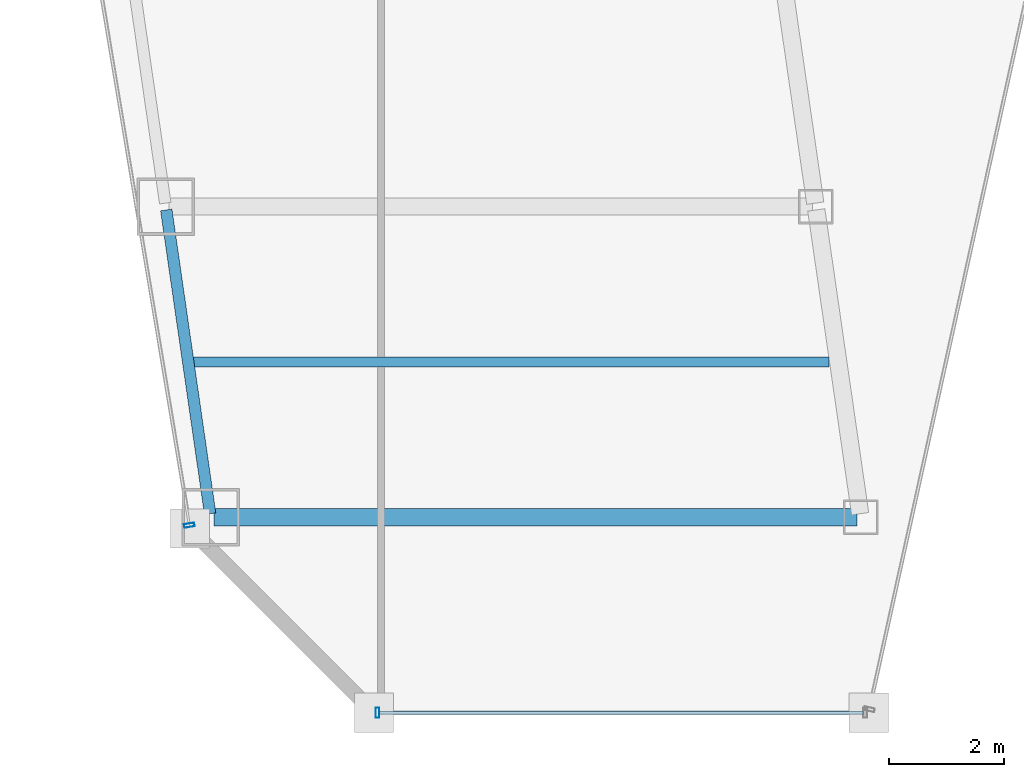
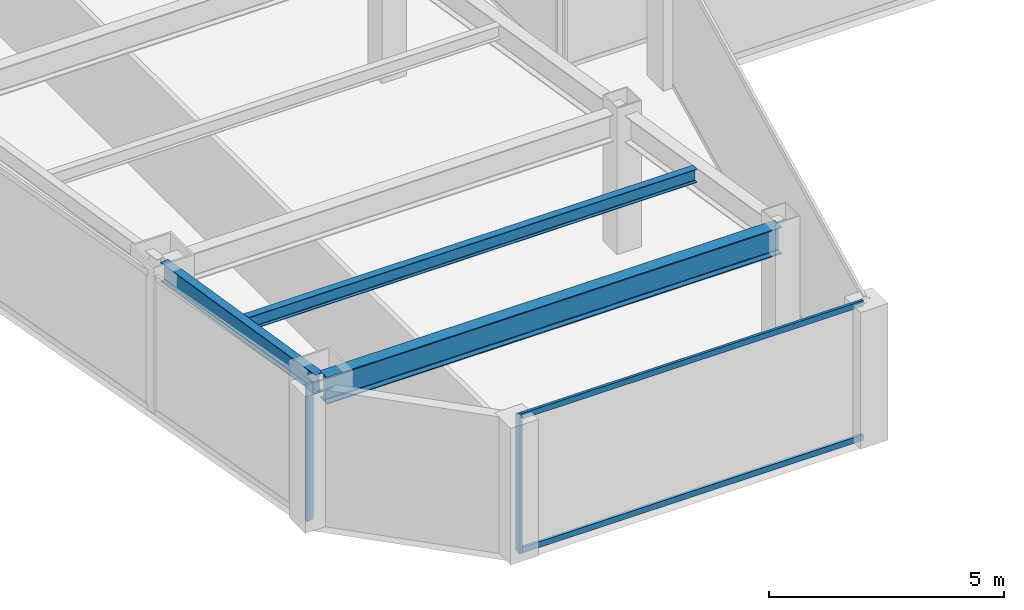
# One storey, part 2 of 36: 4 members, 3 beams, 2 elements without a shape of their own.
"""IFC4 building model written with IfcOpenShell, lengths in metres."""

from ifc_helpers import new_model, si_unit, direction, frame, origin, origin_2d, place, context, subcontext, project, spatial, hollow_rectangle, i_section, extrude, material, material_profile, profile_set, type_object, element, aggregate, save


model = new_model("IFC4")

# Units and contexts
model_context = context("Model", 3, precision=1e-05, world=origin(), true_north=direction((0.0, 1.0)))
body_context = subcontext(model_context, "Body", "Model", "MODEL_VIEW")
ifc_project = project(units=[si_unit("LENGTHUNIT", "METRE"), si_unit("AREAUNIT", "SQUARE_METRE"), si_unit("VOLUMEUNIT", "CUBIC_METRE"), si_unit("PLANEANGLEUNIT", "RADIAN"), si_unit("MASSUNIT", "GRAM", prefix="KILO")], contexts=[model_context])

# Site, building, storey
site_placement = place(None, origin())
site = spatial("IfcSite", under=ifc_project, at=site_placement, CompositionType="ELEMENT")
building_placement = place(site_placement, origin())
building = spatial("IfcBuilding", under=site, at=building_placement, Name="Saevonmaru Cultural Tower", CompositionType="ELEMENT")
storey_placement = place(building_placement, frame((0.0, 0.0, 152.39990234375)))
storey = spatial("IfcBuildingStorey", under=building, at=storey_placement, Name="L33", CompositionType="ELEMENT", Elevation=152.39990234375)

# Beams
ifc_material_1 = material(Name="Steel SM355", Category="steel")
ifc_material_profile_1 = material_profile(ifc_material_1, i_section(OverallWidth=0.300048828125, OverallDepth=0.699951171875, WebThickness=0.012939453125, FlangeThickness=0.02392578125, FilletRadius=0.02587890625, at=origin_2d()), Name="H-700x300x13x24")
ifc_profile_set_1 = profile_set([ifc_material_profile_1], Name="Steel SM355")
beam_type_1 = type_object("IfcBeamType", Name="BM-G-H700", PredefinedType="BEAM", material=ifc_profile_set_1)
beam_1_placement = place(storey_placement, frame((11.468017578125, 10.60009765625, 3.2001953125), z_axis=(1.0, 0.0, 0.0), x_axis=(0.0, 1.0, 0.0)))
element("IfcBeam", 1, at=beam_1_placement, inside=storey, type_object=beam_type_1, Name="L33 West Wing Transverse Girder 1", PredefinedType="BEAM", context=body_context, shape_type="SweptSolid", body=[
    extrude(i_section(OverallWidth=0.300048828125, OverallDepth=0.699951171875, WebThickness=0.012939453125, FlangeThickness=0.02392578125, FilletRadius=0.02587890625, at=origin_2d()), origin(), (0.0, 0.0, 1.0), 11.179931640625),
])
ifc_material_profile_2 = material_profile(ifc_material_1, i_section(OverallWidth=0.175048828125, OverallDepth=0.35009765625, WebThickness=0.007080078125, FlangeThickness=0.010986328125, FilletRadius=0.012939453125, at=origin_2d()), Name="H-350x175x7x11")
ifc_profile_set_2 = profile_set([ifc_material_profile_2], Name="Steel SM355")
beam_type_2 = type_object("IfcBeamType", Name="BM-J-H350", PredefinedType="JOIST", material=ifc_profile_set_2)
beam_2_placement = place(storey_placement, frame((11.077880859375, 13.300048828125, 3.375), z_axis=(1.0, 0.0, 0.0), x_axis=(0.0, 1.0, 0.0)))
element("IfcBeam", 2, at=beam_2_placement, inside=storey, type_object=beam_type_2, Name="L33 West Wing Floor Joist 1", PredefinedType="JOIST", context=body_context, shape_type="SweptSolid", body=[
    extrude(i_section(OverallWidth=0.175048828125, OverallDepth=0.35009765625, WebThickness=0.007080078125, FlangeThickness=0.010986328125, FilletRadius=0.012939453125, at=origin_2d()), origin(), (0.0, 0.0, 1.0), 11.08203125),
])
ifc_material_profile_3 = material_profile(ifc_material_1, i_section(OverallWidth=0.199951171875, OverallDepth=0.5, WebThickness=0.010009765625, FlangeThickness=0.01611328125, FilletRadius=0.02001953125, at=origin_2d()), Name="H-500x200x10x16")
ifc_profile_set_3 = profile_set([ifc_material_profile_3], Name="Steel SM355")
beam_type_3 = type_object("IfcBeamType", Name="BM-SP-H500", PredefinedType="SPANDREL", material=ifc_profile_set_3)
beam_3_placement = place(storey_placement, frame((11.3994140625, 10.659423828125, 3.300048828125), z_axis=(-0.1429328758, 0.989732384544, 0.0), x_axis=(-0.989732384544, -0.1429328758, 0.0)))
element("IfcBeam", 3, at=beam_3_placement, inside=storey, type_object=beam_type_3, Name="L33 West Splayed Spandrel 1", PredefinedType="SPANDREL", context=body_context, shape_type="SweptSolid", body=[
    extrude(i_section(OverallWidth=0.199951171875, OverallDepth=0.5, WebThickness=0.010009765625, FlangeThickness=0.01611328125, FilletRadius=0.02001953125, at=origin_2d()), origin(), (0.0, 0.0, 1.0), 5.3359375),
])

# Curtain wall, member
ifc_material_2 = material(Name="Satin Bronze Anodised Aluminium", Category="aluminium")
curtain_wall_type = type_object("IfcCurtainWallType", Name="CW-TYP-A", PredefinedType="NOTDEFINED", material=ifc_material_2)
curtain_wall_1_placement = place(storey_placement, origin())
curtain_wall_1 = element("IfcCurtainWall", 4, at=curtain_wall_1_placement, inside=storey, type_object=curtain_wall_type, Name="L33 Unitised Curtain Wall E2", PredefinedType="NOTDEFINED")
ifc_material_profile_4 = material_profile(ifc_material_2, hollow_rectangle(XDim=0.06494140625, YDim=0.179931640625, WallThickness=0.00390625, at=origin_2d()), Name="ALU-MULL-180x65x4")
ifc_profile_set_4 = profile_set([ifc_material_profile_4], Name="Satin Bronze Anodised Aluminium")
member_type_1 = type_object("IfcMemberType", Name="ML-CW-180x65", PredefinedType="MULLION", material=ifc_profile_set_4)
member_1_placement = place(storey_placement, frame((14.308837890625, 7.199951171875, 0.0), z_axis=(0.0, 0.0, 1.0), x_axis=(1.0, 0.0, 0.0)))
member_1 = element("IfcMember", 5, at=member_1_placement, type_object=member_type_1, Name="CW-TW-L33-E2 mullion 1", PredefinedType="MULLION", context=body_context, shape_type="SweptSolid", body=[
    extrude(hollow_rectangle(XDim=0.06494140625, YDim=0.179931640625, WallThickness=0.00390625, at=origin_2d()), origin(), (0.0, 0.0, 1.0), 3.550048828125),
])

curtain_wall_2_placement = place(storey_placement, origin())
curtain_wall_2 = element("IfcCurtainWall", 6, at=curtain_wall_2_placement, inside=storey, type_object=curtain_wall_type, Name="L33 Unitised Curtain Wall E12", PredefinedType="NOTDEFINED")
member_2_placement = place(storey_placement, frame((11.0390625, 10.459228515625, 0.0), z_axis=(0.0, 0.0, 1.0), x_axis=(0.163998702345, -0.986460554523, 0.0)))
member_2 = element("IfcMember", 7, at=member_2_placement, type_object=member_type_1, Name="CW-TW-L33-E12 mullion 5", PredefinedType="MULLION", context=body_context, shape_type="SweptSolid", body=[
    extrude(hollow_rectangle(XDim=0.06494140625, YDim=0.179931640625, WallThickness=0.00390625, at=origin_2d()), origin(), (0.0, 0.0, 1.0), 3.550048828125),
])
aggregate(curtain_wall_2, [member_2])

# Member
ifc_material_profile_5 = material_profile(ifc_material_2, hollow_rectangle(XDim=0.06494140625, YDim=0.14990234375, WallThickness=0.00390625, at=origin_2d()), Name="ALU-TRAN-150x65x4")
ifc_profile_set_5 = profile_set([ifc_material_profile_5], Name="Satin Bronze Anodised Aluminium")
member_type_2 = type_object("IfcMemberType", Name="TR-CW-150x65", PredefinedType="USERDEFINED", material=ifc_profile_set_5)
member_3_placement = place(storey_placement, frame((14.34130859375, 7.199951171875, 0.03271484375), z_axis=(1.0, 0.0, 0.0), x_axis=(0.0, 1.0, 0.0)))
member_3 = element("IfcMember", 8, at=member_3_placement, type_object=member_type_2, Name="CW-TW-L33-E2 transom 1.1", ObjectType="TRANSOM", PredefinedType="USERDEFINED", context=body_context, shape_type="SweptSolid", body=[
    extrude(hollow_rectangle(XDim=0.06494140625, YDim=0.14990234375, WallThickness=0.00390625, at=origin_2d()), origin(), (0.0, 0.0, 1.0), 8.4150390625),
])

member_4_placement = place(storey_placement, frame((14.34130859375, 7.199951171875, 3.517578125), z_axis=(1.0, 0.0, 0.0), x_axis=(0.0, 1.0, 0.0)))
member_4 = element("IfcMember", 9, at=member_4_placement, type_object=member_type_2, Name="CW-TW-L33-E2 transom 1.2", ObjectType="TRANSOM", PredefinedType="USERDEFINED", context=body_context, shape_type="SweptSolid", body=[
    extrude(hollow_rectangle(XDim=0.06494140625, YDim=0.14990234375, WallThickness=0.00390625, at=origin_2d()), origin(), (0.0, 0.0, 1.0), 8.4150390625),
])

aggregate(curtain_wall_1, [member_1, member_3, member_4])

save(model, "model.ifc")
